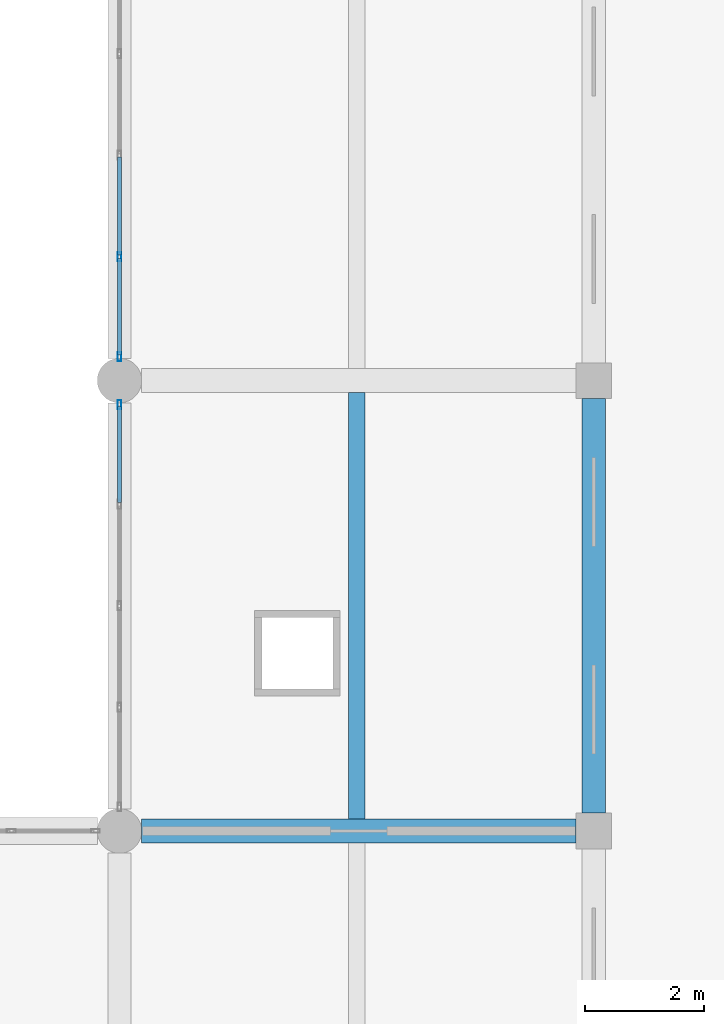
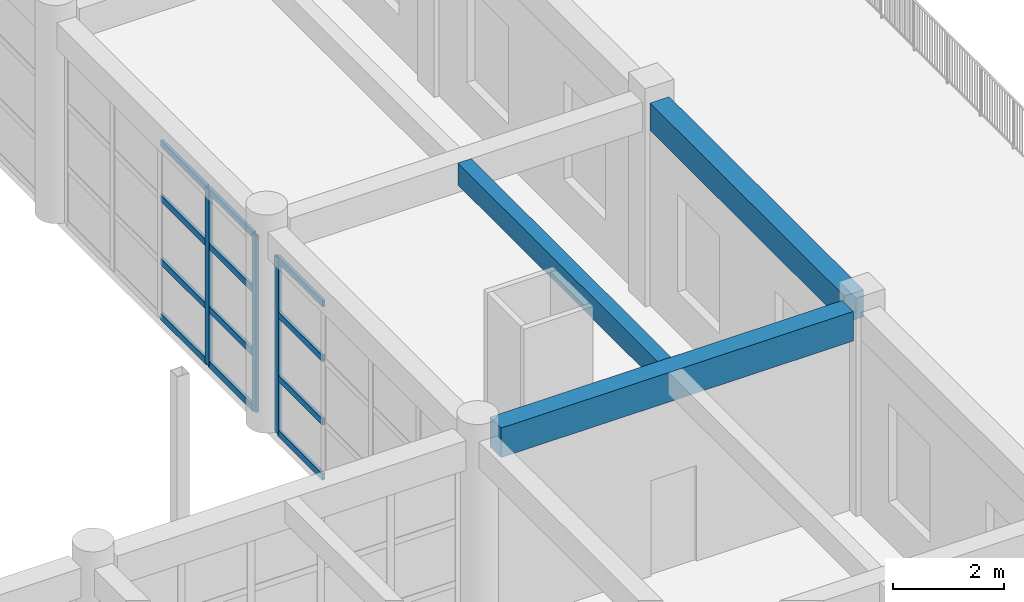
# One storey, part 52 of 101: 15 members, 3 beams, 2 elements without a shape of their own.
"""IFC4 building model written with IfcOpenShell, lengths in metres."""

from ifc_helpers import new_model, si_unit, direction, frame, origin, origin_2d, place, context, subcontext, project, spatial, rectangle, hollow_rectangle, extrude, material, material_profile, profile_set, type_object, element, aggregate, save


model = new_model("IFC4")

# Units and contexts
model_context = context("Model", 3, precision=1e-05, world=origin(), true_north=direction((0.0, 1.0)))
body_context = subcontext(model_context, "Body", "Model", "MODEL_VIEW")
ifc_project = project(units=[si_unit("LENGTHUNIT", "METRE"), si_unit("AREAUNIT", "SQUARE_METRE"), si_unit("VOLUMEUNIT", "CUBIC_METRE"), si_unit("PLANEANGLEUNIT", "RADIAN"), si_unit("MASSUNIT", "GRAM", prefix="KILO")], contexts=[model_context])

# Site, building, storey
site_placement = place(None, origin())
site = spatial("IfcSite", under=ifc_project, at=site_placement, CompositionType="ELEMENT")
building_placement = place(site_placement, origin())
building = spatial("IfcBuilding", under=site, at=building_placement, Name="Zantavel Square City Hall", CompositionType="ELEMENT")
storey_placement = place(building_placement, frame((0.0, 0.0, 5.39990234375)))
storey = spatial("IfcBuildingStorey", under=building, at=storey_placement, Name="L02", CompositionType="ELEMENT", Elevation=5.39990234375)

# Curtain wall, member
ifc_material_1 = material(Name="Anodised aluminium 6063-T6", Category="aluminium")
curtain_wall_type = type_object("IfcCurtainWallType", Name="Curtain Wall CRT 6850x3870", PredefinedType="USERDEFINED", material=ifc_material_1)
curtain_wall_1_placement = place(storey_placement, origin())
curtain_wall_1 = element("IfcCurtainWall", 1, at=curtain_wall_1_placement, inside=storey, type_object=curtain_wall_type, Name="L02 Glazed Curtain Wall CW-L02-055", ObjectType="GLAZED CURTAIN WALL", PredefinedType="USERDEFINED")
ifc_material_profile_1 = material_profile(ifc_material_1, hollow_rectangle(XDim=0.06494140625, YDim=0.14990234375, WallThickness=0.00390625, at=origin_2d()), Name="ALU 65x150x4")
ifc_profile_set_1 = profile_set([ifc_material_profile_1], Name="Anodised aluminium 6063-T6")
member_type_1 = type_object("IfcMemberType", Name="CW Mullion ALU 65x150x4", PredefinedType="MULLION", material=ifc_profile_set_1)
member_1_placement = place(storey_placement, frame((152.0, 45.195068359375, 0.0), z_axis=(0.0, 0.0, 1.0), x_axis=(-1.0, 0.0, 0.0)))
member_1 = element("IfcMember", 2, at=member_1_placement, type_object=member_type_1, Name="CW-055 mullion 5", PredefinedType="MULLION", context=body_context, shape_type="SweptSolid", body=[
    extrude(hollow_rectangle(XDim=0.06494140625, YDim=0.14990234375, WallThickness=0.00390625, at=origin_2d()), origin(), (0.0, 0.0, 1.0), 3.8701171875),
])

# Curtain wall, members
curtain_wall_2_placement = place(storey_placement, origin())
curtain_wall_2 = element("IfcCurtainWall", 3, at=curtain_wall_2_placement, inside=storey, type_object=curtain_wall_type, Name="L02 Glazed Curtain Wall CW-L02-056", ObjectType="GLAZED CURTAIN WALL", PredefinedType="USERDEFINED")
member_2_placement = place(storey_placement, frame((152.0, 46.0048828125, 0.0), z_axis=(0.0, 0.0, 1.0), x_axis=(-1.0, 0.0, 0.0)))
member_2 = element("IfcMember", 4, at=member_2_placement, type_object=member_type_1, Name="CW-056 mullion 1", PredefinedType="MULLION", context=body_context, shape_type="SweptSolid", body=[
    extrude(hollow_rectangle(XDim=0.06494140625, YDim=0.14990234375, WallThickness=0.00390625, at=origin_2d()), origin(), (0.0, 0.0, 1.0), 3.8701171875),
])
member_3_placement = place(storey_placement, frame((152.0, 47.6875, 0.0), z_axis=(0.0, 0.0, 1.0), x_axis=(-1.0, 0.0, 0.0)))
member_3 = element("IfcMember", 5, at=member_3_placement, type_object=member_type_1, Name="CW-056 mullion 2", PredefinedType="MULLION", context=body_context, shape_type="SweptSolid", body=[
    extrude(hollow_rectangle(XDim=0.06494140625, YDim=0.14990234375, WallThickness=0.00390625, at=origin_2d()), origin(), (0.0, 0.0, 1.0), 3.8701171875),
])

# Member
ifc_material_profile_2 = material_profile(ifc_material_1, hollow_rectangle(XDim=0.06005859375, YDim=0.139892578125, WallThickness=0.00390625, at=origin_2d()), Name="ALU 60x140x4")
ifc_profile_set_2 = profile_set([ifc_material_profile_2], Name="Anodised aluminium 6063-T6")
member_type_2 = type_object("IfcMemberType", Name="CW Transom ALU 60x140x4", PredefinedType="USERDEFINED", material=ifc_profile_set_2)
member_4_placement = place(storey_placement, frame((152.0, 43.54248046875, 0.030029296875), z_axis=(0.0, 1.0, 0.0), x_axis=(-1.0, 0.0, 0.0)))
member_4 = element("IfcMember", 6, at=member_4_placement, type_object=member_type_2, Name="CW-055 transom 4.1", ObjectType="TRANSOM", PredefinedType="USERDEFINED", context=body_context, shape_type="SweptSolid", body=[
    extrude(hollow_rectangle(XDim=0.06005859375, YDim=0.139892578125, WallThickness=0.00390625, at=origin_2d()), origin(), (0.0, 0.0, 1.0), 1.62255859375),
])

member_5_placement = place(storey_placement, frame((152.0, 43.54248046875, 1.238037109375), z_axis=(0.0, 1.0, 0.0), x_axis=(-1.0, 0.0, 0.0)))
member_5 = element("IfcMember", 7, at=member_5_placement, type_object=member_type_2, Name="CW-055 transom 4.2", ObjectType="TRANSOM", PredefinedType="USERDEFINED", context=body_context, shape_type="SweptSolid", body=[
    extrude(hollow_rectangle(XDim=0.06005859375, YDim=0.139892578125, WallThickness=0.00390625, at=origin_2d()), origin(), (0.0, 0.0, 1.0), 1.62255859375),
])

member_6_placement = place(storey_placement, frame((152.0, 43.54248046875, 2.632080078125), z_axis=(0.0, 1.0, 0.0), x_axis=(-1.0, 0.0, 0.0)))
member_6 = element("IfcMember", 8, at=member_6_placement, type_object=member_type_2, Name="CW-055 transom 4.3", ObjectType="TRANSOM", PredefinedType="USERDEFINED", context=body_context, shape_type="SweptSolid", body=[
    extrude(hollow_rectangle(XDim=0.06005859375, YDim=0.139892578125, WallThickness=0.00390625, at=origin_2d()), origin(), (0.0, 0.0, 1.0), 1.62255859375),
])

member_7_placement = place(storey_placement, frame((152.0, 43.54248046875, 3.840087890625), z_axis=(0.0, 1.0, 0.0), x_axis=(-1.0, 0.0, 0.0)))
member_7 = element("IfcMember", 9, at=member_7_placement, type_object=member_type_2, Name="CW-055 transom 4.4", ObjectType="TRANSOM", PredefinedType="USERDEFINED", context=body_context, shape_type="SweptSolid", body=[
    extrude(hollow_rectangle(XDim=0.06005859375, YDim=0.139892578125, WallThickness=0.00390625, at=origin_2d()), origin(), (0.0, 0.0, 1.0), 1.62255859375),
])

aggregate(curtain_wall_1, [member_1, member_4, member_5, member_6, member_7])

member_8_placement = place(storey_placement, frame((152.0, 46.034912109375, 0.030029296875), z_axis=(0.0, 1.0, 0.0), x_axis=(-1.0, 0.0, 0.0)))
member_8 = element("IfcMember", 10, at=member_8_placement, type_object=member_type_2, Name="CW-056 transom 1.1", ObjectType="TRANSOM", PredefinedType="USERDEFINED", context=body_context, shape_type="SweptSolid", body=[
    extrude(hollow_rectangle(XDim=0.06005859375, YDim=0.139892578125, WallThickness=0.00390625, at=origin_2d()), origin(), (0.0, 0.0, 1.0), 1.62255859375),
])

member_9_placement = place(storey_placement, frame((152.0, 46.034912109375, 1.238037109375), z_axis=(0.0, 1.0, 0.0), x_axis=(-1.0, 0.0, 0.0)))
member_9 = element("IfcMember", 11, at=member_9_placement, type_object=member_type_2, Name="CW-056 transom 1.2", ObjectType="TRANSOM", PredefinedType="USERDEFINED", context=body_context, shape_type="SweptSolid", body=[
    extrude(hollow_rectangle(XDim=0.06005859375, YDim=0.139892578125, WallThickness=0.00390625, at=origin_2d()), origin(), (0.0, 0.0, 1.0), 1.62255859375),
])

member_10_placement = place(storey_placement, frame((152.0, 46.034912109375, 2.632080078125), z_axis=(0.0, 1.0, 0.0), x_axis=(-1.0, 0.0, 0.0)))
member_10 = element("IfcMember", 12, at=member_10_placement, type_object=member_type_2, Name="CW-056 transom 1.3", ObjectType="TRANSOM", PredefinedType="USERDEFINED", context=body_context, shape_type="SweptSolid", body=[
    extrude(hollow_rectangle(XDim=0.06005859375, YDim=0.139892578125, WallThickness=0.00390625, at=origin_2d()), origin(), (0.0, 0.0, 1.0), 1.62255859375),
])

member_11_placement = place(storey_placement, frame((152.0, 46.034912109375, 3.840087890625), z_axis=(0.0, 1.0, 0.0), x_axis=(-1.0, 0.0, 0.0)))
member_11 = element("IfcMember", 13, at=member_11_placement, type_object=member_type_2, Name="CW-056 transom 1.4", ObjectType="TRANSOM", PredefinedType="USERDEFINED", context=body_context, shape_type="SweptSolid", body=[
    extrude(hollow_rectangle(XDim=0.06005859375, YDim=0.139892578125, WallThickness=0.00390625, at=origin_2d()), origin(), (0.0, 0.0, 1.0), 1.62255859375),
])

member_12_placement = place(storey_placement, frame((152.0, 47.717529296875, 0.030029296875), z_axis=(0.0, 1.0, 0.0), x_axis=(-1.0, 0.0, 0.0)))
member_12 = element("IfcMember", 14, at=member_12_placement, type_object=member_type_2, Name="CW-056 transom 2.1", ObjectType="TRANSOM", PredefinedType="USERDEFINED", context=body_context, shape_type="SweptSolid", body=[
    extrude(hollow_rectangle(XDim=0.06005859375, YDim=0.139892578125, WallThickness=0.00390625, at=origin_2d()), origin(), (0.0, 0.0, 1.0), 1.652587890625),
])

member_13_placement = place(storey_placement, frame((152.0, 47.717529296875, 1.238037109375), z_axis=(0.0, 1.0, 0.0), x_axis=(-1.0, 0.0, 0.0)))
member_13 = element("IfcMember", 15, at=member_13_placement, type_object=member_type_2, Name="CW-056 transom 2.2", ObjectType="TRANSOM", PredefinedType="USERDEFINED", context=body_context, shape_type="SweptSolid", body=[
    extrude(hollow_rectangle(XDim=0.06005859375, YDim=0.139892578125, WallThickness=0.00390625, at=origin_2d()), origin(), (0.0, 0.0, 1.0), 1.652587890625),
])

member_14_placement = place(storey_placement, frame((152.0, 47.717529296875, 2.632080078125), z_axis=(0.0, 1.0, 0.0), x_axis=(-1.0, 0.0, 0.0)))
member_14 = element("IfcMember", 16, at=member_14_placement, type_object=member_type_2, Name="CW-056 transom 2.3", ObjectType="TRANSOM", PredefinedType="USERDEFINED", context=body_context, shape_type="SweptSolid", body=[
    extrude(hollow_rectangle(XDim=0.06005859375, YDim=0.139892578125, WallThickness=0.00390625, at=origin_2d()), origin(), (0.0, 0.0, 1.0), 1.652587890625),
])

member_15_placement = place(storey_placement, frame((152.0, 47.717529296875, 3.840087890625), z_axis=(0.0, 1.0, 0.0), x_axis=(-1.0, 0.0, 0.0)))
member_15 = element("IfcMember", 17, at=member_15_placement, type_object=member_type_2, Name="CW-056 transom 2.4", ObjectType="TRANSOM", PredefinedType="USERDEFINED", context=body_context, shape_type="SweptSolid", body=[
    extrude(hollow_rectangle(XDim=0.06005859375, YDim=0.139892578125, WallThickness=0.00390625, at=origin_2d()), origin(), (0.0, 0.0, 1.0), 1.652587890625),
])

aggregate(curtain_wall_2, [member_2, member_3, member_8, member_9, member_10, member_11, member_12, member_13, member_14, member_15])

# Beams
ifc_material_2 = material(Name="Concrete C35/45", Category="concrete")
ifc_material_profile_3 = material_profile(ifc_material_2, rectangle(XDim=0.39990234375, YDim=0.64990234375, at=origin_2d()), Name="RC 400x650")
ifc_profile_set_3 = profile_set([ifc_material_profile_3], Name="Concrete C35/45")
beam_type_1 = type_object("IfcBeamType", Name="Frame Beam RC 400x650 C35/45", PredefinedType="BEAM", material=ifc_profile_set_3)
beam_1_placement = place(storey_placement, frame((152.375, 38.0, 4.125), z_axis=(1.0, 0.0, 0.0), x_axis=(0.0, 1.0, 0.0)))
element("IfcBeam", 18, at=beam_1_placement, inside=storey, type_object=beam_type_1, Name="L02 Girder BMX-L02-1520-0380", PredefinedType="BEAM", context=body_context, shape_type="SweptSolid", body=[
    extrude(rectangle(XDim=0.39990234375, YDim=0.64990234375, at=origin_2d()), origin(), (0.0, 0.0, 1.0), 7.324951171875),
])
ifc_material_profile_4 = material_profile(ifc_material_2, rectangle(XDim=0.39990234375, YDim=0.60009765625, at=origin_2d()), Name="RC 400x600")
ifc_profile_set_4 = profile_set([ifc_material_profile_4], Name="Concrete C35/45")
beam_type_2 = type_object("IfcBeamType", Name="Perimeter Spandrel RC 400x600 C35/45", PredefinedType="SPANDREL", material=ifc_profile_set_4)
beam_2_placement = place(storey_placement, frame((160.0, 38.300048828125, 4.150146484375), z_axis=(0.0, 1.0, 0.0), x_axis=(-1.0, 0.0, 0.0)))
element("IfcBeam", 19, at=beam_2_placement, inside=storey, type_object=beam_type_2, Name="L02 Beam BMY-L02-1600-0380", PredefinedType="SPANDREL", context=body_context, shape_type="SweptSolid", body=[
    extrude(rectangle(XDim=0.39990234375, YDim=0.60009765625, at=origin_2d()), origin(), (0.0, 0.0, 1.0), 7.0),
])
ifc_material_profile_5 = material_profile(ifc_material_2, rectangle(XDim=0.280029296875, YDim=0.47998046875, at=origin_2d()), Name="RC 280x480")
ifc_profile_set_5 = profile_set([ifc_material_profile_5], Name="Concrete C35/45")
beam_type_3 = type_object("IfcBeamType", Name="Terrace Deck Joist RC 280x480 C35/45", PredefinedType="JOIST", material=ifc_profile_set_5)
beam_3_placement = place(storey_placement, frame((156.0, 38.199951171875, 4.210205078125), z_axis=(0.0, 1.0, 0.0), x_axis=(-1.0, 0.0, 0.0)))
element("IfcBeam", 20, at=beam_3_placement, inside=storey, type_object=beam_type_3, Name="L02 Floor Joist JST-L02-1560-0380", PredefinedType="JOIST", context=body_context, shape_type="SweptSolid", body=[
    extrude(rectangle(XDim=0.280029296875, YDim=0.47998046875, at=origin_2d()), origin(), (0.0, 0.0, 1.0), 7.199951171875),
])

save(model, "model.ifc")
